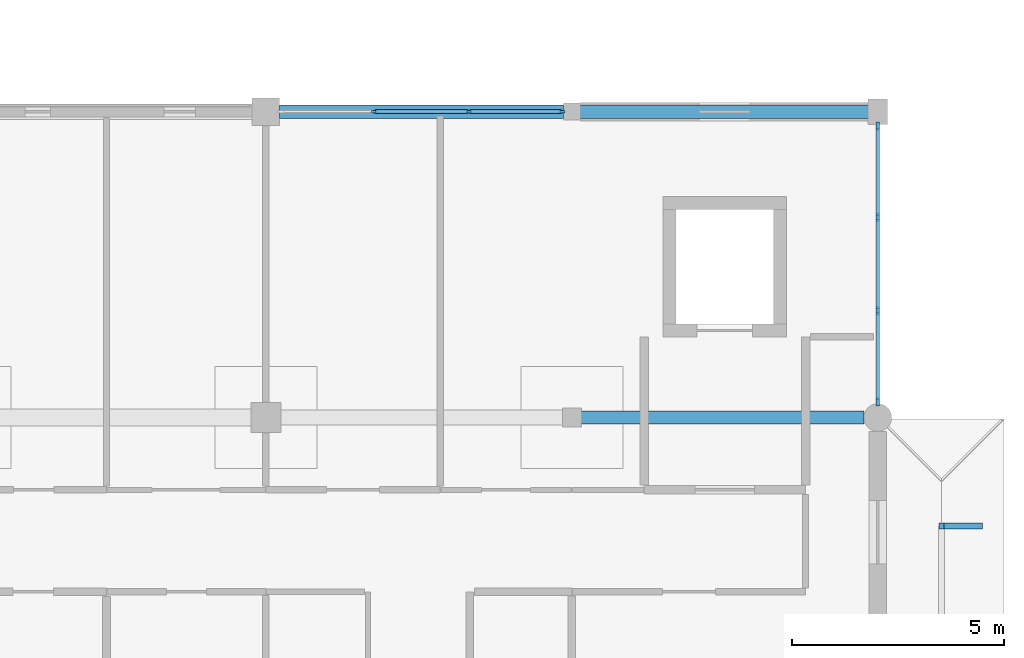
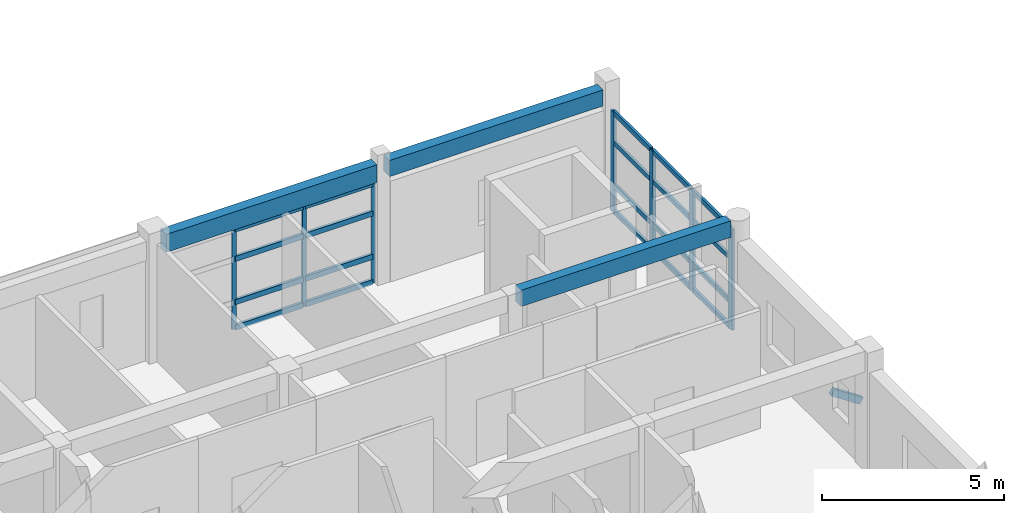
# One storey, part 46 of 110: 28 members, 3 beams, 2 elements without a shape of their own.
"""IFC4 building model written with IfcOpenShell, lengths in metres."""

from ifc_helpers import new_model, si_unit, direction, frame, origin, origin_2d, place, context, subcontext, project, spatial, rectangle, extrude, material, material_profile, profile_set, type_object, element, aggregate, save


model = new_model("IFC4")

# Units and contexts
model_context = context("Model", 3, precision=1e-05, world=origin(), true_north=direction((0.0, 1.0)))
body_context = subcontext(model_context, "Body", "Model", "MODEL_VIEW")
ifc_project = project(units=[si_unit("LENGTHUNIT", "METRE"), si_unit("AREAUNIT", "SQUARE_METRE"), si_unit("VOLUMEUNIT", "CUBIC_METRE"), si_unit("PLANEANGLEUNIT", "RADIAN"), si_unit("MASSUNIT", "GRAM", prefix="KILO")], contexts=[model_context])

# Site, building, storey
site_placement = place(None, origin())
site = spatial("IfcSite", under=ifc_project, at=site_placement, CompositionType="ELEMENT")
building_placement = place(site_placement, origin())
building = spatial("IfcBuilding", under=site, at=building_placement, Name="Steenspoor Specialist Clinic", CompositionType="ELEMENT")
storey_placement = place(building_placement, frame((0.0, 0.0, 4.800048828125)))
storey = spatial("IfcBuildingStorey", under=building, at=storey_placement, Name="L01", CompositionType="ELEMENT", Elevation=4.800048828125)

# Beam
ifc_material_1 = material(Name="Concrete C35/45", Category="concrete")
ifc_material_profile_1 = material_profile(ifc_material_1, rectangle(XDim=0.300048828125, YDim=0.550048828125, at=origin_2d()), Name="RC-BM-300X550")
ifc_profile_set_1 = profile_set([ifc_material_profile_1], Name="Concrete C35/45")
beam_type_1 = type_object("IfcBeamType", Name="BM-RC-300X550", PredefinedType="BEAM", material=ifc_profile_set_1)
beam_1_placement = place(storey_placement, frame((154.219970703125, 34.64990234375, 3.760009765625), z_axis=(1.0, 0.0, 0.0), x_axis=(0.0, 1.0, 0.0)))
element("IfcBeam", 1, at=beam_1_placement, inside=storey, type_object=beam_type_1, Name="BM-V2-L01-X0263", PredefinedType="BEAM", context=body_context, shape_type="SweptSolid", body=[
    extrude(rectangle(XDim=0.300048828125, YDim=0.550048828125, at=origin_2d()), origin(), (0.0, 0.0, 1.0), 6.659912109375),
])

# Curtain wall, members
ifc_material_2 = material(Name="Thermally broken aluminium and low-emissivity glass", Category="aluminium")
curtain_wall_type_1 = type_object("IfcCurtainWallType", Name="CW-TYP-650X355", PredefinedType="USERDEFINED", material=ifc_material_2)
curtain_wall_1_placement = place(storey_placement, origin())
curtain_wall_1 = element("IfcCurtainWall", 2, at=curtain_wall_1_placement, inside=storey, type_object=curtain_wall_type_1, Name="Unitised Curtain Wall CW-V2-L01-034", ObjectType="UNITISED GLAZING", PredefinedType="USERDEFINED")
ifc_material_3 = material(Name="Thermally broken aluminium 6063-T6", Category="aluminium")
ifc_material_profile_2 = material_profile(ifc_material_3, rectangle(XDim=0.06005859375, YDim=0.135009765625, at=origin_2d()), Name="CWM-60X135")
ifc_profile_set_2 = profile_set([ifc_material_profile_2], Name="Thermally broken aluminium 6063-T6")
member_type_1 = type_object("IfcMemberType", Name="CW-MULL-60X135", PredefinedType="MULLION", material=ifc_profile_set_2)
member_1_placement = place(storey_placement, frame((149.35009765625, 41.85009765625, 0.0), z_axis=(0.0, 0.0, 1.0), x_axis=(0.0, 1.0, 0.0)))
member_1 = element("IfcMember", 3, at=member_1_placement, type_object=member_type_1, Name="CW-10 mullion 2", PredefinedType="MULLION", context=body_context, shape_type="SweptSolid", body=[
    extrude(rectangle(XDim=0.06005859375, YDim=0.135009765625, at=origin_2d()), origin(), (0.0, 0.0, 1.0), 3.3798828125),
])
member_2_placement = place(storey_placement, frame((151.574951171875, 41.85009765625, 0.0), z_axis=(0.0, 0.0, 1.0), x_axis=(0.0, 1.0, 0.0)))
member_2 = element("IfcMember", 4, at=member_2_placement, type_object=member_type_1, Name="CW-10 mullion 3", PredefinedType="MULLION", context=body_context, shape_type="SweptSolid", body=[
    extrude(rectangle(XDim=0.06005859375, YDim=0.135009765625, at=origin_2d()), origin(), (0.0, 0.0, 1.0), 3.3798828125),
])
member_3_placement = place(storey_placement, frame((153.77001953125, 41.85009765625, 0.0), z_axis=(0.0, 0.0, 1.0), x_axis=(0.0, 1.0, 0.0)))
member_3 = element("IfcMember", 5, at=member_3_placement, type_object=member_type_1, Name="CW-10 mullion 4", PredefinedType="MULLION", context=body_context, shape_type="SweptSolid", body=[
    extrude(rectangle(XDim=0.06005859375, YDim=0.135009765625, at=origin_2d()), origin(), (0.0, 0.0, 1.0), 3.3798828125),
])

curtain_wall_type_2 = type_object("IfcCurtainWallType", Name="CW-TYP-540X355", PredefinedType="USERDEFINED", material=ifc_material_2)
curtain_wall_2_placement = place(storey_placement, origin())
curtain_wall_2 = element("IfcCurtainWall", 6, at=curtain_wall_2_placement, inside=storey, type_object=curtain_wall_type_2, Name="Unitised Curtain Wall CW-V2-L01-035", ObjectType="UNITISED GLAZING", PredefinedType="USERDEFINED")
ifc_material_profile_3 = material_profile(ifc_material_3, rectangle(XDim=0.090087890625, YDim=0.199951171875, at=origin_2d()), Name="CWM-90X200")
ifc_profile_set_3 = profile_set([ifc_material_profile_3], Name="Thermally broken aluminium 6063-T6")
member_type_2 = type_object("IfcMemberType", Name="CW-MULL-90X200", PredefinedType="MULLION", material=ifc_profile_set_3)
member_4_placement = place(storey_placement, frame((161.199951171875, 41.5048828125, 0.0), z_axis=(0.0, 0.0, 1.0), x_axis=(1.0, 0.0, 0.0)))
member_4 = element("IfcMember", 7, at=member_4_placement, type_object=member_type_2, Name="CW-11 mullion 1", PredefinedType="MULLION", context=body_context, shape_type="SweptSolid", body=[
    extrude(rectangle(XDim=0.090087890625, YDim=0.199951171875, at=origin_2d()), origin(), (0.0, 0.0, 1.0), 3.3798828125),
])
member_5_placement = place(storey_placement, frame((161.199951171875, 39.3583984375, 0.0), z_axis=(0.0, 0.0, 1.0), x_axis=(1.0, 0.0, 0.0)))
member_5 = element("IfcMember", 8, at=member_5_placement, type_object=member_type_2, Name="CW-11 mullion 2", PredefinedType="MULLION", context=body_context, shape_type="SweptSolid", body=[
    extrude(rectangle(XDim=0.090087890625, YDim=0.199951171875, at=origin_2d()), origin(), (0.0, 0.0, 1.0), 3.3798828125),
])
member_6_placement = place(storey_placement, frame((161.199951171875, 37.166748046875, 0.0), z_axis=(0.0, 0.0, 1.0), x_axis=(1.0, 0.0, 0.0)))
member_6 = element("IfcMember", 9, at=member_6_placement, type_object=member_type_2, Name="CW-11 mullion 3", PredefinedType="MULLION", context=body_context, shape_type="SweptSolid", body=[
    extrude(rectangle(XDim=0.090087890625, YDim=0.199951171875, at=origin_2d()), origin(), (0.0, 0.0, 1.0), 3.3798828125),
])
member_7_placement = place(storey_placement, frame((161.199951171875, 35.02001953125, 0.0), z_axis=(0.0, 0.0, 1.0), x_axis=(1.0, 0.0, 0.0)))
member_7 = element("IfcMember", 10, at=member_7_placement, type_object=member_type_2, Name="CW-11 mullion 4", PredefinedType="MULLION", context=body_context, shape_type="SweptSolid", body=[
    extrude(rectangle(XDim=0.090087890625, YDim=0.199951171875, at=origin_2d()), origin(), (0.0, 0.0, 1.0), 3.3798828125),
])
ifc_material_profile_4 = material_profile(ifc_material_3, rectangle(XDim=0.080078125, YDim=0.159912109375, at=origin_2d()), Name="CWT-80X160")
ifc_profile_set_4 = profile_set([ifc_material_profile_4], Name="Thermally broken aluminium 6063-T6")
member_type_3 = type_object("IfcMemberType", Name="CW-TRAN-80X160", PredefinedType="USERDEFINED", material=ifc_profile_set_4)
member_8_placement = place(storey_placement, frame((161.199951171875, 41.4599609375, 0.0400390625), z_axis=(0.0, -1.0, 0.0), x_axis=(1.0, 0.0, 0.0)))
member_8 = element("IfcMember", 11, at=member_8_placement, type_object=member_type_3, Name="CW-11 transom 1.1", ObjectType="TRANSOM", PredefinedType="USERDEFINED", context=body_context, shape_type="SweptSolid", body=[
    extrude(rectangle(XDim=0.080078125, YDim=0.159912109375, at=origin_2d()), origin(), (0.0, 0.0, 1.0), 2.056640625),
])
member_9_placement = place(storey_placement, frame((161.199951171875, 41.4599609375, 0.89990234375), z_axis=(0.0, -1.0, 0.0), x_axis=(1.0, 0.0, 0.0)))
member_9 = element("IfcMember", 12, at=member_9_placement, type_object=member_type_3, Name="CW-11 transom 1.2", ObjectType="TRANSOM", PredefinedType="USERDEFINED", context=body_context, shape_type="SweptSolid", body=[
    extrude(rectangle(XDim=0.080078125, YDim=0.159912109375, at=origin_2d()), origin(), (0.0, 0.0, 1.0), 2.056640625),
])
member_10_placement = place(storey_placement, frame((161.199951171875, 41.4599609375, 2.349853515625), z_axis=(0.0, -1.0, 0.0), x_axis=(1.0, 0.0, 0.0)))
member_10 = element("IfcMember", 13, at=member_10_placement, type_object=member_type_3, Name="CW-11 transom 1.3", ObjectType="TRANSOM", PredefinedType="USERDEFINED", context=body_context, shape_type="SweptSolid", body=[
    extrude(rectangle(XDim=0.080078125, YDim=0.159912109375, at=origin_2d()), origin(), (0.0, 0.0, 1.0), 2.056640625),
])
member_11_placement = place(storey_placement, frame((161.199951171875, 41.4599609375, 3.33984375), z_axis=(0.0, -1.0, 0.0), x_axis=(1.0, 0.0, 0.0)))
member_11 = element("IfcMember", 14, at=member_11_placement, type_object=member_type_3, Name="CW-11 transom 1.4", ObjectType="TRANSOM", PredefinedType="USERDEFINED", context=body_context, shape_type="SweptSolid", body=[
    extrude(rectangle(XDim=0.080078125, YDim=0.159912109375, at=origin_2d()), origin(), (0.0, 0.0, 1.0), 2.056640625),
])
member_12_placement = place(storey_placement, frame((161.199951171875, 39.313232421875, 0.0400390625), z_axis=(0.0, -1.0, 0.0), x_axis=(1.0, 0.0, 0.0)))
member_12 = element("IfcMember", 15, at=member_12_placement, type_object=member_type_3, Name="CW-11 transom 2.1", ObjectType="TRANSOM", PredefinedType="USERDEFINED", context=body_context, shape_type="SweptSolid", body=[
    extrude(rectangle(XDim=0.080078125, YDim=0.159912109375, at=origin_2d()), origin(), (0.0, 0.0, 1.0), 2.1015625),
])
member_13_placement = place(storey_placement, frame((161.199951171875, 39.313232421875, 0.89990234375), z_axis=(0.0, -1.0, 0.0), x_axis=(1.0, 0.0, 0.0)))
member_13 = element("IfcMember", 16, at=member_13_placement, type_object=member_type_3, Name="CW-11 transom 2.2", ObjectType="TRANSOM", PredefinedType="USERDEFINED", context=body_context, shape_type="SweptSolid", body=[
    extrude(rectangle(XDim=0.080078125, YDim=0.159912109375, at=origin_2d()), origin(), (0.0, 0.0, 1.0), 2.1015625),
])
member_14_placement = place(storey_placement, frame((161.199951171875, 39.313232421875, 2.349853515625), z_axis=(0.0, -1.0, 0.0), x_axis=(1.0, 0.0, 0.0)))
member_14 = element("IfcMember", 17, at=member_14_placement, type_object=member_type_3, Name="CW-11 transom 2.3", ObjectType="TRANSOM", PredefinedType="USERDEFINED", context=body_context, shape_type="SweptSolid", body=[
    extrude(rectangle(XDim=0.080078125, YDim=0.159912109375, at=origin_2d()), origin(), (0.0, 0.0, 1.0), 2.1015625),
])
member_15_placement = place(storey_placement, frame((161.199951171875, 39.313232421875, 3.33984375), z_axis=(0.0, -1.0, 0.0), x_axis=(1.0, 0.0, 0.0)))
member_15 = element("IfcMember", 18, at=member_15_placement, type_object=member_type_3, Name="CW-11 transom 2.4", ObjectType="TRANSOM", PredefinedType="USERDEFINED", context=body_context, shape_type="SweptSolid", body=[
    extrude(rectangle(XDim=0.080078125, YDim=0.159912109375, at=origin_2d()), origin(), (0.0, 0.0, 1.0), 2.1015625),
])
member_16_placement = place(storey_placement, frame((161.199951171875, 37.12158203125, 0.0400390625), z_axis=(0.0, -1.0, 0.0), x_axis=(1.0, 0.0, 0.0)))
member_16 = element("IfcMember", 19, at=member_16_placement, type_object=member_type_3, Name="CW-11 transom 3.1", ObjectType="TRANSOM", PredefinedType="USERDEFINED", context=body_context, shape_type="SweptSolid", body=[
    extrude(rectangle(XDim=0.080078125, YDim=0.159912109375, at=origin_2d()), origin(), (0.0, 0.0, 1.0), 2.056640625),
])
member_17_placement = place(storey_placement, frame((161.199951171875, 37.12158203125, 0.89990234375), z_axis=(0.0, -1.0, 0.0), x_axis=(1.0, 0.0, 0.0)))
member_17 = element("IfcMember", 20, at=member_17_placement, type_object=member_type_3, Name="CW-11 transom 3.2", ObjectType="TRANSOM", PredefinedType="USERDEFINED", context=body_context, shape_type="SweptSolid", body=[
    extrude(rectangle(XDim=0.080078125, YDim=0.159912109375, at=origin_2d()), origin(), (0.0, 0.0, 1.0), 2.056640625),
])
member_18_placement = place(storey_placement, frame((161.199951171875, 37.12158203125, 2.349853515625), z_axis=(0.0, -1.0, 0.0), x_axis=(1.0, 0.0, 0.0)))
member_18 = element("IfcMember", 21, at=member_18_placement, type_object=member_type_3, Name="CW-11 transom 3.3", ObjectType="TRANSOM", PredefinedType="USERDEFINED", context=body_context, shape_type="SweptSolid", body=[
    extrude(rectangle(XDim=0.080078125, YDim=0.159912109375, at=origin_2d()), origin(), (0.0, 0.0, 1.0), 2.056640625),
])
member_19_placement = place(storey_placement, frame((161.199951171875, 37.12158203125, 3.33984375), z_axis=(0.0, -1.0, 0.0), x_axis=(1.0, 0.0, 0.0)))
member_19 = element("IfcMember", 22, at=member_19_placement, type_object=member_type_3, Name="CW-11 transom 3.4", ObjectType="TRANSOM", PredefinedType="USERDEFINED", context=body_context, shape_type="SweptSolid", body=[
    extrude(rectangle(XDim=0.080078125, YDim=0.159912109375, at=origin_2d()), origin(), (0.0, 0.0, 1.0), 2.056640625),
])
aggregate(curtain_wall_2, [member_4, member_5, member_6, member_7, member_8, member_9, member_10, member_11, member_12, member_13, member_14, member_15, member_16, member_17, member_18, member_19])

# Member
ifc_material_profile_5 = material_profile(ifc_material_3, rectangle(XDim=0.090087890625, YDim=0.175048828125, at=origin_2d()), Name="CWT-90X175")
ifc_profile_set_5 = profile_set([ifc_material_profile_5], Name="Thermally broken aluminium 6063-T6")
member_type_4 = type_object("IfcMemberType", Name="CW-TRAN-90X175", PredefinedType="USERDEFINED", material=ifc_profile_set_5)
member_20_placement = place(storey_placement, frame((149.3798828125, 41.85009765625, 0.044921875), z_axis=(1.0, 0.0, 0.0), x_axis=(0.0, 1.0, 0.0)))
member_20 = element("IfcMember", 23, at=member_20_placement, type_object=member_type_4, Name="CW-10 transom 2.1", ObjectType="TRANSOM", PredefinedType="USERDEFINED", context=body_context, shape_type="SweptSolid", body=[
    extrude(rectangle(XDim=0.090087890625, YDim=0.175048828125, at=origin_2d()), origin(), (0.0, 0.0, 1.0), 2.1650390625),
])

member_21_placement = place(storey_placement, frame((149.3798828125, 41.85009765625, 0.89990234375), z_axis=(1.0, 0.0, 0.0), x_axis=(0.0, 1.0, 0.0)))
member_21 = element("IfcMember", 24, at=member_21_placement, type_object=member_type_4, Name="CW-10 transom 2.2", ObjectType="TRANSOM", PredefinedType="USERDEFINED", context=body_context, shape_type="SweptSolid", body=[
    extrude(rectangle(XDim=0.090087890625, YDim=0.175048828125, at=origin_2d()), origin(), (0.0, 0.0, 1.0), 2.1650390625),
])

member_22_placement = place(storey_placement, frame((149.3798828125, 41.85009765625, 2.349853515625), z_axis=(1.0, 0.0, 0.0), x_axis=(0.0, 1.0, 0.0)))
member_22 = element("IfcMember", 25, at=member_22_placement, type_object=member_type_4, Name="CW-10 transom 2.3", ObjectType="TRANSOM", PredefinedType="USERDEFINED", context=body_context, shape_type="SweptSolid", body=[
    extrude(rectangle(XDim=0.090087890625, YDim=0.175048828125, at=origin_2d()), origin(), (0.0, 0.0, 1.0), 2.1650390625),
])

member_23_placement = place(storey_placement, frame((149.3798828125, 41.85009765625, 3.3349609375), z_axis=(1.0, 0.0, 0.0), x_axis=(0.0, 1.0, 0.0)))
member_23 = element("IfcMember", 26, at=member_23_placement, type_object=member_type_4, Name="CW-10 transom 2.4", ObjectType="TRANSOM", PredefinedType="USERDEFINED", context=body_context, shape_type="SweptSolid", body=[
    extrude(rectangle(XDim=0.090087890625, YDim=0.175048828125, at=origin_2d()), origin(), (0.0, 0.0, 1.0), 2.1650390625),
])

member_24_placement = place(storey_placement, frame((151.60498046875, 41.85009765625, 0.044921875), z_axis=(1.0, 0.0, 0.0), x_axis=(0.0, 1.0, 0.0)))
member_24 = element("IfcMember", 27, at=member_24_placement, type_object=member_type_4, Name="CW-10 transom 3.1", ObjectType="TRANSOM", PredefinedType="USERDEFINED", context=body_context, shape_type="SweptSolid", body=[
    extrude(rectangle(XDim=0.090087890625, YDim=0.175048828125, at=origin_2d()), origin(), (0.0, 0.0, 1.0), 2.135009765625),
])

member_25_placement = place(storey_placement, frame((151.60498046875, 41.85009765625, 0.89990234375), z_axis=(1.0, 0.0, 0.0), x_axis=(0.0, 1.0, 0.0)))
member_25 = element("IfcMember", 28, at=member_25_placement, type_object=member_type_4, Name="CW-10 transom 3.2", ObjectType="TRANSOM", PredefinedType="USERDEFINED", context=body_context, shape_type="SweptSolid", body=[
    extrude(rectangle(XDim=0.090087890625, YDim=0.175048828125, at=origin_2d()), origin(), (0.0, 0.0, 1.0), 2.135009765625),
])

member_26_placement = place(storey_placement, frame((151.60498046875, 41.85009765625, 2.349853515625), z_axis=(1.0, 0.0, 0.0), x_axis=(0.0, 1.0, 0.0)))
member_26 = element("IfcMember", 29, at=member_26_placement, type_object=member_type_4, Name="CW-10 transom 3.3", ObjectType="TRANSOM", PredefinedType="USERDEFINED", context=body_context, shape_type="SweptSolid", body=[
    extrude(rectangle(XDim=0.090087890625, YDim=0.175048828125, at=origin_2d()), origin(), (0.0, 0.0, 1.0), 2.135009765625),
])

member_27_placement = place(storey_placement, frame((151.60498046875, 41.85009765625, 3.3349609375), z_axis=(1.0, 0.0, 0.0), x_axis=(0.0, 1.0, 0.0)))
member_27 = element("IfcMember", 30, at=member_27_placement, type_object=member_type_4, Name="CW-10 transom 3.4", ObjectType="TRANSOM", PredefinedType="USERDEFINED", context=body_context, shape_type="SweptSolid", body=[
    extrude(rectangle(XDim=0.090087890625, YDim=0.175048828125, at=origin_2d()), origin(), (0.0, 0.0, 1.0), 2.135009765625),
])

aggregate(curtain_wall_1, [member_1, member_2, member_3, member_20, member_21, member_22, member_23, member_24, member_25, member_26, member_27])

ifc_material_4 = material(Name="Glulam GL28h", Category="wood")
ifc_material_profile_6 = material_profile(ifc_material_4, rectangle(XDim=0.139892578125, YDim=0.219970703125, at=origin_2d()), Name="GL28H-140X220")
ifc_profile_set_6 = profile_set([ifc_material_profile_6], Name="Glulam GL28h")
member_type_5 = type_object("IfcMemberType", Name="MEM-RAFTER-GL220", PredefinedType="RAFTER", material=ifc_profile_set_6)
member_28_placement = place(storey_placement, frame((163.60009765625, 32.10009765625, -1.465087890625), z_axis=(-0.834028643507, 0.0, 0.551721144973), x_axis=(0.0, -1.0, 0.0)))
element("IfcMember", 31, at=member_28_placement, inside=storey, type_object=member_type_5, Name="Walkway Rafter PORCH-EAST", PredefinedType="RAFTER", context=body_context, shape_type="SweptSolid", body=[
    extrude(rectangle(XDim=0.139892578125, YDim=0.219970703125, at=origin_2d()), origin(), (0.0, 0.0, 1.0), 1.079345703125),
])

# Beams
ifc_material_profile_7 = material_profile(ifc_material_1, rectangle(XDim=0.320068359375, YDim=0.5400390625, at=origin_2d()), Name="RC-SP-320X540")
ifc_profile_set_7 = profile_set([ifc_material_profile_7], Name="Concrete C35/45")
beam_type_2 = type_object("IfcBeamType", Name="SP-RC-320X540", PredefinedType="SPANDREL", material=ifc_profile_set_7)
beam_2_placement = place(storey_placement, frame((154.195068359375, 41.85009765625, 3.764892578125), z_axis=(1.0, 0.0, 0.0), x_axis=(0.0, 1.0, 0.0)))
element("IfcBeam", 32, at=beam_2_placement, inside=storey, type_object=beam_type_2, Name="BM-V2-L01-X0269", PredefinedType="SPANDREL", context=body_context, shape_type="SweptSolid", body=[
    extrude(rectangle(XDim=0.320068359375, YDim=0.5400390625, at=origin_2d()), origin(), (0.0, 0.0, 1.0), 6.784912109375),
])
ifc_material_profile_8 = material_profile(ifc_material_1, rectangle(XDim=0.320068359375, YDim=0.60009765625, at=origin_2d()), Name="RC-SP-320X600")
ifc_profile_set_8 = profile_set([ifc_material_profile_8], Name="Concrete C35/45")
beam_type_3 = type_object("IfcBeamType", Name="SP-RC-320X600", PredefinedType="SPANDREL", material=ifc_profile_set_8)
beam_3_placement = place(storey_placement, frame((147.1201171875, 41.85009765625, 3.73486328125), z_axis=(1.0, 0.0, 0.0), x_axis=(0.0, 1.0, 0.0)))
element("IfcBeam", 33, at=beam_3_placement, inside=storey, type_object=beam_type_3, Name="BM-V2-L01-X0268", PredefinedType="SPANDREL", context=body_context, shape_type="SweptSolid", body=[
    extrude(rectangle(XDim=0.320068359375, YDim=0.60009765625, at=origin_2d()), origin(), (0.0, 0.0, 1.0), 6.684814453125),
])

save(model, "model.ifc")
